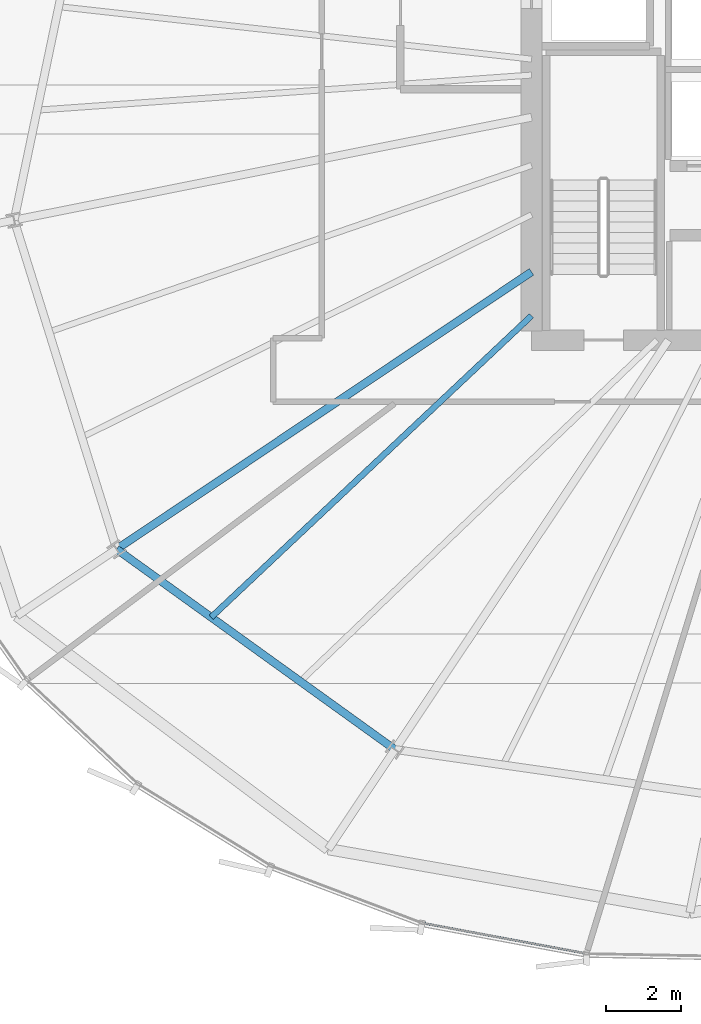
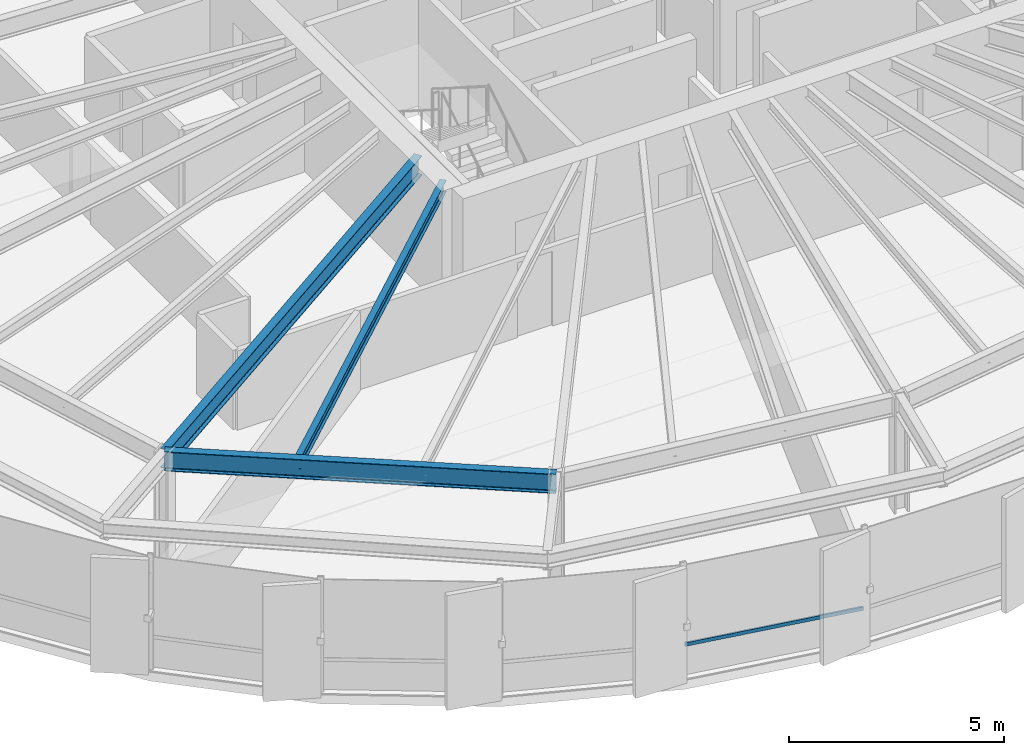
# One storey, part 4 of 36: 3 beams, 1 member, 1 element without a shape of its own.
"""IFC4 building model written with IfcOpenShell, lengths in metres."""

import ifcopenshell
import ifcopenshell.guid

model = None  # the IFC model being written
_history = None  # IfcOwnerHistory: only IFC2X3 demands one
_inside = {}  # id of a spatial element -> (the spatial element, [elements in it])
_under = {}  # id of a project, library or spatial element -> (it, [spatial elements below it])
_declared = {}  # id of a project -> (the project, [libraries it declares])
_typed = {}  # id of a type object -> (the type object, [elements of that type])
_made_of = {}  # id of a material, layer set ... -> (it, [elements and type objects made of it])


def new_model(schema):
    """Start an empty IFC model of exactly this schema.

    Asked for "IFC4X3", IfcOpenShell would pick the latest addendum, in which some entities
    have other attributes; the version numbers below select the first issue.
    IFC2X3 requires an IfcOwnerHistory on every rooted entity: one is made here for all.
    """
    global model, _history
    if schema == "IFC4X3":
        model = ifcopenshell.file(schema_version=(4, 3, 0, 0))
    else:
        model = ifcopenshell.file(schema=schema)
    _inside.clear()
    _under.clear()
    _declared.clear()
    _typed.clear()
    _made_of.clear()
    _history = None
    if model.schema == "IFC2X3":
        org = make("IfcOrganization", Name="unknown")
        user = make(
            "IfcPersonAndOrganization",
            ThePerson=make("IfcPerson", FamilyName="unknown"),
            TheOrganization=org,
        )
        app = make(
            "IfcApplication",
            ApplicationDeveloper=org,
            Version="unknown",
            ApplicationFullName="unknown",
            ApplicationIdentifier="unknown",
        )
        _history = make(
            "IfcOwnerHistory",
            OwningUser=user,
            OwningApplication=app,
            ChangeAction="ADDED",
            CreationDate=0,
        )
    return model


def make(cls, **values):
    """One entity of the class cls with the attributes given. An attribute that is None is left unset."""
    return model.create_entity(
        cls, **{name: value for name, value in values.items() if value is not None}
    )


def rooted(cls, **values):
    """An entity with a GlobalId (a new one), such as an element, a storey or a relation."""
    return make(cls, GlobalId=ifcopenshell.guid.new(), OwnerHistory=_history, **values)


def si_unit(unit_type, name, prefix=None):
    """IfcSIUnit, for example si_unit("LENGTHUNIT", "METRE", prefix="MILLI")."""
    return make("IfcSIUnit", UnitType=unit_type, Prefix=prefix, Name=name)


def assignment(units):
    """IfcUnitAssignment: the units of a project."""
    return None if units is None else make("IfcUnitAssignment", Units=units)


def point(xyz):
    """IfcCartesianPoint."""
    return None if xyz is None else make("IfcCartesianPoint", Coordinates=xyz)


def direction(xyz):
    """IfcDirection."""
    return None if xyz is None else make("IfcDirection", DirectionRatios=xyz)


def frame(location, z_axis=None, x_axis=None):
    """IfcAxis2Placement3D, a coordinate frame: its origin and axes. An axis left out is left unset."""
    return make(
        "IfcAxis2Placement3D",
        Location=point(location),
        Axis=direction(z_axis),
        RefDirection=direction(x_axis),
    )


def frame_2d(location, x_axis=None):
    """IfcAxis2Placement2D, a coordinate frame in the plane: its origin and x axis."""
    return make(
        "IfcAxis2Placement2D", Location=point(location), RefDirection=direction(x_axis)
    )


def origin():
    """The frame at (0, 0, 0) with its axes left unset."""
    return frame((0.0, 0.0, 0.0))


def origin_2d():
    """The frame at (0, 0) in the plane with its x axis left unset."""
    return frame_2d((0.0, 0.0))


def place(relative_to, where):
    """IfcLocalPlacement: puts the frame where relative to a parent placement (None: the world)."""
    return make(
        "IfcLocalPlacement", PlacementRelTo=relative_to, RelativePlacement=where
    )


def context(
    kind, dimensions, precision=None, world=None, true_north=None, identifier=None
):
    """IfcGeometricRepresentationContext, for example the 3D "Model" context."""
    return make(
        "IfcGeometricRepresentationContext",
        ContextIdentifier=identifier,
        ContextType=kind,
        CoordinateSpaceDimension=dimensions,
        Precision=precision,
        WorldCoordinateSystem=world,
        TrueNorth=true_north,
    )


def subcontext(parent, identifier, kind, view, scale=None):
    """IfcGeometricRepresentationSubContext, for example "Body" below "Model"."""
    return make(
        "IfcGeometricRepresentationSubContext",
        ContextIdentifier=identifier,
        ContextType=kind,
        ParentContext=parent,
        TargetScale=scale,
        TargetView=view,
    )


def project(units=None, contexts=None):
    """IfcProject with its units and contexts."""
    return rooted(
        "IfcProject",
        Name="project",
        RepresentationContexts=contexts,
        UnitsInContext=assignment(units),
    )


def spatial(cls, under=None, at=None, **own):
    """A site, building, storey or space (cls), placed at a placement, below another one or the project."""
    s = rooted(cls, ObjectPlacement=at, **own)
    if under is not None:
        _under.setdefault(under.id(), (under, []))[1].append(s)
    return s


def profile(cls, at=None, kind="AREA", **sizes):
    """A parametric profile (cls). Its sizes go by their IFC names, for example OverallWidth=200.0."""
    return make(cls, ProfileType=kind, Position=at, **sizes)


def hollow_rectangle(**sizes):
    """IfcRectangleHollowProfileDef."""
    return profile("IfcRectangleHollowProfileDef", **sizes)


def i_section(**sizes):
    """IfcIShapeProfileDef."""
    return profile("IfcIShapeProfileDef", **sizes)


def extrude(swept, where, along, depth):
    """IfcExtrudedAreaSolid: the profile swept, set in the frame where, extruded along a direction by depth."""
    return make(
        "IfcExtrudedAreaSolid",
        SweptArea=swept,
        Position=where,
        ExtrudedDirection=direction(along),
        Depth=depth,
    )


def shape(context_of_items, identifier, shape_type, items):
    """IfcShapeRepresentation: the items that make up one representation, for example the "Body"."""
    return make(
        "IfcShapeRepresentation",
        ContextOfItems=context_of_items,
        RepresentationIdentifier=identifier,
        RepresentationType=shape_type,
        Items=items,
    )


def source(mapping_origin, context_of_items, identifier, shape_type, items):
    """IfcRepresentationMap: a shape defined once, which mapped items show again and again."""
    return make(
        "IfcRepresentationMap",
        MappingOrigin=mapping_origin,
        MappedRepresentation=shape(context_of_items, identifier, shape_type, items),
    )


def transform(
    local_origin,
    x_axis=None,
    y_axis=None,
    z_axis=None,
    scale=None,
    scale2=None,
    scale3=None,
    uniform=True,
):
    """IfcCartesianTransformationOperator3D, or its non-uniform kind. x_axis, y_axis, z_axis: its Axis1, 2, 3."""
    if uniform:
        return make(
            "IfcCartesianTransformationOperator3D",
            Axis1=direction(x_axis),
            Axis2=direction(y_axis),
            LocalOrigin=point(local_origin),
            Scale=scale,
            Axis3=direction(z_axis),
        )
    return make(
        "IfcCartesianTransformationOperator3DnonUniform",
        Axis1=direction(x_axis),
        Axis2=direction(y_axis),
        LocalOrigin=point(local_origin),
        Scale=scale,
        Axis3=direction(z_axis),
        Scale2=scale2,
        Scale3=scale3,
    )


def mapped(mapping_source, mapping_target):
    """IfcMappedItem: shows the shape of a source again, moved by a transform."""
    return make(
        "IfcMappedItem", MappingSource=mapping_source, MappingTarget=mapping_target
    )


def material(Name=None, Category=None):
    """IfcMaterial."""
    return make("IfcMaterial", Name=Name, Category=Category)


def layer(
    of_material, thickness, ventilated=None, Name=None, Category=None, Priority=None
):
    """IfcMaterialLayer: one layer of a wall or slab, of a material (None: an air gap)."""
    return make(
        "IfcMaterialLayer",
        Material=of_material,
        LayerThickness=thickness,
        IsVentilated=ventilated,
        Name=Name,
        Category=Category,
        Priority=Priority,
    )


def layer_set(layers, Name=None):
    """IfcMaterialLayerSet."""
    return make("IfcMaterialLayerSet", MaterialLayers=layers, LayerSetName=Name)


def material_profile(
    of_material, cross_section, Name=None, Category=None, Priority=None
):
    """IfcMaterialProfile: a cross section and its material."""
    return make(
        "IfcMaterialProfile",
        Name=Name,
        Material=of_material,
        Profile=cross_section,
        Priority=Priority,
        Category=Category,
    )


def profile_set(profiles, Name=None, composite=None):
    """IfcMaterialProfileSet."""
    return make(
        "IfcMaterialProfileSet",
        Name=Name,
        MaterialProfiles=profiles,
        CompositeProfile=composite,
    )


def made_of(thing, what):
    """Note that an element or type object is made of a material, layer set ...; save() writes the relation."""
    if what is not None:
        _made_of.setdefault(what.id(), (what, []))[1].append(thing)
    return thing


def type_object(cls, material=None, **own):
    """A type object (cls), such as IfcWallType, which elements share."""
    return made_of(rooted(cls, **own), material)


def element(
    cls,
    number,
    at=None,
    inside=None,
    cuts=None,
    type_object=None,
    material=None,
    context=None,
    identifier="Body",
    shape_type=None,
    held_by="IfcProductDefinitionShape",
    body=None,
    shapes=None,
    **own,
):
    """One element of the class cls, such as IfcWall. Its Tag is "e" and its number.

    at: its placement. inside: the storey or other place that contains it. cuts: it is an
    opening in that element (IfcRelVoidsElement). A single representation is given by context,
    identifier, shape_type and body (its items); several are given by shapes. held_by: the class
    of the entity that holds the representations. save() writes the other relations.
    """
    e = rooted(cls, Tag="e%d" % number, ObjectPlacement=at, **own)
    if body is not None:
        shapes = [shape(context, identifier, shape_type, body)]
    if shapes is not None:
        e.Representation = make(held_by, Representations=shapes)
    if inside is not None:
        _inside.setdefault(inside.id(), (inside, []))[1].append(e)
    if cuts is not None:
        rooted(
            "IfcRelVoidsElement", RelatingBuildingElement=cuts, RelatedOpeningElement=e
        )
    if type_object is not None:
        _typed.setdefault(type_object.id(), (type_object, []))[1].append(e)
    return made_of(e, material)


def aggregate(whole, parts):
    """IfcRelAggregates: a whole, such as a stair, and the parts it consists of."""
    return rooted("IfcRelAggregates", RelatingObject=whole, RelatedObjects=parts)


def save(model, path):
    """Write the relations noted so far, then the file.

    IfcRelAggregates (storeys below a building ...), IfcRelContainedInSpatialStructure (elements
    in a storey), IfcRelDefinesByType, IfcRelAssociatesMaterial and IfcRelDeclares: one each for
    every whole, place, type object, material and project.
    """
    for whole, parts in _under.values():
        aggregate(whole, parts)
    for where, things in _inside.values():
        rooted(
            "IfcRelContainedInSpatialStructure",
            RelatedElements=things,
            RelatingStructure=where,
        )
    for kind, things in _typed.values():
        rooted("IfcRelDefinesByType", RelatedObjects=things, RelatingType=kind)
    for what, things in _made_of.values():
        rooted("IfcRelAssociatesMaterial", RelatedObjects=things, RelatingMaterial=what)
    for by, libraries in _declared.values():
        rooted("IfcRelDeclares", RelatingContext=by, RelatedDefinitions=libraries)
    model.write(path)


model = new_model("IFC4")

# Units and contexts
model_context = context("Model", 3, precision=1e-05, world=origin(), true_north=direction((0.0, 1.0)))
body_context = subcontext(model_context, "Body", "Model", "MODEL_VIEW")
ifc_project = project(units=[si_unit("LENGTHUNIT", "METRE"), si_unit("AREAUNIT", "SQUARE_METRE"), si_unit("VOLUMEUNIT", "CUBIC_METRE"), si_unit("PLANEANGLEUNIT", "RADIAN"), si_unit("MASSUNIT", "GRAM", prefix="KILO"), si_unit("THERMODYNAMICTEMPERATUREUNIT", "KELVIN")], contexts=[model_context])

# Site, building, storey
site_placement = place(None, origin())
site = spatial("IfcSite", under=ifc_project, at=site_placement, CompositionType="ELEMENT")
building_placement = place(site_placement, origin())
building = spatial("IfcBuilding", under=site, at=building_placement, Name="Kethvar Cultural Tower", CompositionType="ELEMENT")
storey_placement = place(building_placement, frame((0.0, 0.0, 150.10009765625)))
storey = spatial("IfcBuildingStorey", under=building, at=storey_placement, Name="L38", CompositionType="ELEMENT", Elevation=150.10009765625)

# Beams
ifc_material_1 = material(Name="Steel S355J2", Category="steel")
ifc_material_profile_1 = material_profile(ifc_material_1, i_section(OverallWidth=0.2099609375, OverallDepth=0.550048828125, WebThickness=0.010986328125, FlangeThickness=0.01708984375, FilletRadius=0.02392578125, at=origin_2d()), Name="Steel S355J2 — IPE550")
ifc_profile_set_1 = profile_set([ifc_material_profile_1], Name="Steel S355J2 — IPE550")
beam_type_1 = type_object("IfcBeamType", Name="BM-IPE550", PredefinedType="BEAM", material=ifc_profile_set_1)
shared_shape_1 = source(origin(), body_context, "Body", "SweptSolid", [
    extrude(i_section(OverallWidth=0.2099609375, OverallDepth=0.550048828125, WebThickness=0.010986328125, FlangeThickness=0.01708984375, FilletRadius=0.02392578125, at=origin_2d()), origin(), (0.0, 0.0, 1.0), 13.324951171875),
])
beam_1_placement = place(storey_placement, frame((38.0, 21.919921875, 3.02294921875), z_axis=(-0.831474815475, -0.555562445843, 0.0), x_axis=(0.555562445843, -0.831474815475, 0.0)))
element("IfcBeam", 1, at=beam_1_placement, inside=storey, type_object=beam_type_1, Name="L38 Primary Radial Beam RB-10", PredefinedType="BEAM", context=body_context, shape_type="MappedRepresentation", body=[
    mapped(shared_shape_1, transform((0.0, 0.0, 0.0), scale=1.0)),
])
shared_shape_2 = source(origin(), body_context, "Body", "SweptSolid", [
    extrude(i_section(OverallWidth=0.2099609375, OverallDepth=0.550048828125, WebThickness=0.010986328125, FlangeThickness=0.01708984375, FilletRadius=0.02392578125, at=origin_2d()), origin(), (0.0, 0.0, 1.0), 9.155029296875),
])
beam_2_placement = place(storey_placement, frame((26.920654296875, 14.51708984375, 3.02294921875), z_axis=(0.811590987974, -0.584226042076, 0.0), x_axis=(0.584226042076, 0.811590987974, 0.0)))
element("IfcBeam", 2, at=beam_2_placement, inside=storey, type_object=beam_type_1, Name="L38 Column Ring Tie Beam CR-10", PredefinedType="BEAM", context=body_context, shape_type="MappedRepresentation", body=[
    mapped(shared_shape_2, transform((0.0, 0.0, 0.0), scale=1.0)),
])
ifc_material_profile_2 = material_profile(ifc_material_1, i_section(OverallWidth=0.159912109375, OverallDepth=0.330078125, WebThickness=0.007568359375, FlangeThickness=0.011474609375, FilletRadius=0.01806640625, at=origin_2d()), Name="Steel S355J2 — IPE330")
ifc_profile_set_2 = profile_set([ifc_material_profile_2], Name="Steel S355J2 — IPE330")
beam_type_2 = type_object("IfcBeamType", Name="BM-J330", PredefinedType="JOIST", material=ifc_profile_set_2)
shared_shape_3 = source(origin(), body_context, "Body", "SweptSolid", [
    extrude(i_section(OverallWidth=0.159912109375, OverallDepth=0.330078125, WebThickness=0.007568359375, FlangeThickness=0.011474609375, FilletRadius=0.01806640625, at=origin_2d()), origin(), (0.0, 0.0, 1.0), 11.74658203125),
])
beam_3_placement = place(storey_placement, frame((38.0, 20.75, 3.1328125), z_axis=(-0.728129818661, -0.685439251266, 0.0), x_axis=(0.685439251266, -0.728129818661, 0.0)))
element("IfcBeam", 3, at=beam_3_placement, inside=storey, type_object=beam_type_2, Name="L38 Composite Floor Joist J-10A", PredefinedType="JOIST", context=body_context, shape_type="MappedRepresentation", body=[
    mapped(shared_shape_3, transform((0.0, 0.0, 0.0), scale=1.0)),
])

# Curtain wall, member
ifc_material_2 = material(Name="Aluminium 6063-T6", Category="aluminium")
ifc_layer = layer(ifc_material_2, 0.179931640625, Name="Aluminium 6063-T6", Category="aluminium")
ifc_layer_set = layer_set([ifc_layer], Name="Aluminium 6063-T6 (180 mm)")
curtain_wall_type = type_object("IfcCurtainWallType", Name="CW-SYS-04-Z34", PredefinedType="NOTDEFINED", material=ifc_layer_set)
curtain_wall_placement = place(storey_placement, origin())
curtain_wall = element("IfcCurtainWall", 4, at=curtain_wall_placement, inside=storey, type_object=curtain_wall_type, Name="L38 Curtain Wall Run 04", PredefinedType="NOTDEFINED")
ifc_material_profile_3 = material_profile(ifc_material_2, hollow_rectangle(XDim=0.050048828125, YDim=0.10009765625, WallThickness=0.00390625, at=origin_2d()), Name="Aluminium 6063-T6 — RHS100x50x4")
ifc_profile_set_3 = profile_set([ifc_material_profile_3], Name="Aluminium 6063-T6 — RHS100x50x4")
member_type = type_object("IfcMemberType", Name="CW-SYS-04-Z34-TRN", PredefinedType="USERDEFINED", material=ifc_profile_set_3)
shared_shape_4 = source(origin(), body_context, "Body", "SweptSolid", [
    extrude(hollow_rectangle(XDim=0.050048828125, YDim=0.10009765625, WallThickness=0.00390625, at=origin_2d()), origin(), (0.0, 0.0, 1.0), 4.397216796875),
])
member_placement = place(storey_placement, frame((35.119384765625, 4.5283203125, 0.949951171875), z_axis=(0.983103338038, -0.183051431948, 0.0), x_axis=(0.183051431948, 0.983103338038, 0.0)))
member = element("IfcMember", 5, at=member_placement, type_object=member_type, Name="CW-L38-R04 Transom 5", ObjectType="TRANSOM", PredefinedType="USERDEFINED", context=body_context, shape_type="MappedRepresentation", body=[
    mapped(shared_shape_4, transform((0.0, 0.0, 0.0), scale=1.0)),
])
aggregate(curtain_wall, [member])

save(model, "model.ifc")
